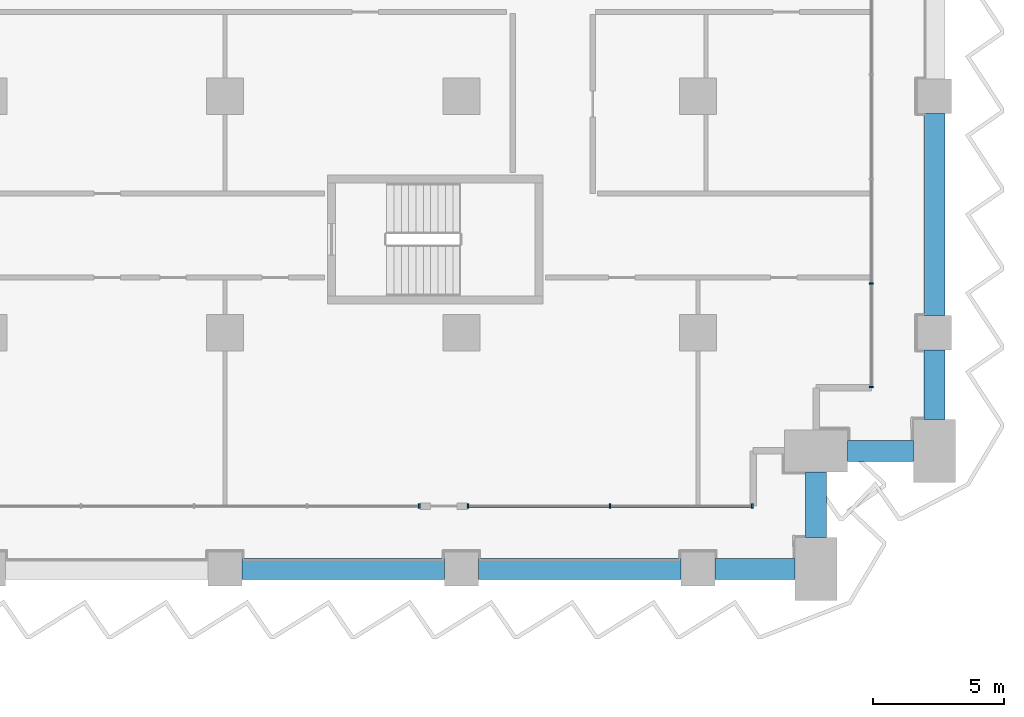
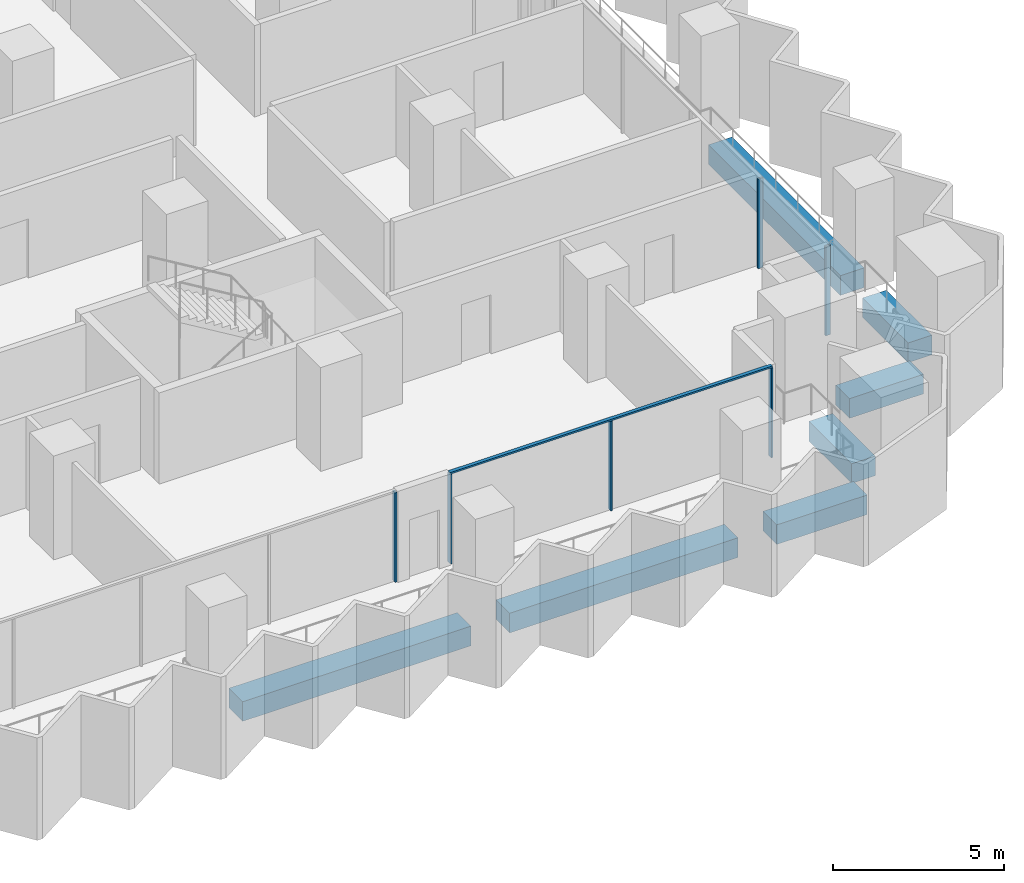
# One storey, part 6 of 28: 7 beams, 7 members, 3 elements without a shape of their own.
"""IFC4 building model written with IfcOpenShell, lengths in metres."""

from ifc_helpers import new_model, si_unit, direction, frame, origin, origin_2d, place, context, subcontext, project, spatial, rectangle, extrude, material, material_profile, profile_set, type_object, element, aggregate, save


model = new_model("IFC4")

# Units and contexts
model_context = context("Model", 3, precision=1e-05, world=origin(), true_north=direction((0.0, 1.0)))
body_context = subcontext(model_context, "Body", "Model", "MODEL_VIEW")
ifc_project = project(units=[si_unit("LENGTHUNIT", "METRE"), si_unit("AREAUNIT", "SQUARE_METRE"), si_unit("VOLUMEUNIT", "CUBIC_METRE"), si_unit("PLANEANGLEUNIT", "RADIAN"), si_unit("MASSUNIT", "GRAM", prefix="KILO")], contexts=[model_context])

# Site, building, storey
site_placement = place(None, origin())
site = spatial("IfcSite", under=ifc_project, at=site_placement, CompositionType="ELEMENT")
building_placement = place(site_placement, origin())
building = spatial("IfcBuilding", under=site, at=building_placement, Name="Hunhe Ridgeline Campus", CompositionType="ELEMENT")
storey_placement = place(building_placement, frame((0.0, 0.0, 76.5)))
storey = spatial("IfcBuildingStorey", under=building, at=storey_placement, Name="L18", CompositionType="ELEMENT", Elevation=76.5)

# Curtain wall, member
ifc_material_1 = material(Name="Aluminium 6063", Category="aluminium")
curtain_wall_type = type_object("IfcCurtainWallType", Name="Curtain wall CW-1", PredefinedType="NOTDEFINED", material=ifc_material_1)
curtain_wall_1_placement = place(storey_placement, origin())
curtain_wall_1 = element("IfcCurtainWall", 1, at=curtain_wall_1_placement, inside=storey, type_object=curtain_wall_type, Name="Curtain wall 13", PredefinedType="NOTDEFINED")
ifc_material_profile_1 = material_profile(ifc_material_1, rectangle(XDim=0.159912109375, YDim=0.06005859375, at=origin_2d()))
ifc_profile_set_1 = profile_set([ifc_material_profile_1], Name="Aluminium 6063")
member_type_1 = type_object("IfcMemberType", Name="CW-1 aluminium mullion", PredefinedType="MULLION", material=ifc_profile_set_1)
member_1_placement = place(storey_placement, frame((79.39404296875, 56.40087890625, 0.0), z_axis=(0.0, 0.0, 1.0), x_axis=(-3.602063e-06, 0.999999999994, 0.0)))
member_1 = element("IfcMember", 2, at=member_1_placement, type_object=member_type_1, Name="CW-1 mullion 9", PredefinedType="MULLION", context=body_context, shape_type="SweptSolid", body=[
    extrude(rectangle(XDim=0.159912109375, YDim=0.06005859375, at=origin_2d()), origin(), (0.0, 0.0, 1.0), 3.18994140625),
])
aggregate(curtain_wall_1, [member_1])

# Curtain wall, members
curtain_wall_2_placement = place(storey_placement, origin())
curtain_wall_2 = element("IfcCurtainWall", 3, at=curtain_wall_2_placement, inside=storey, type_object=curtain_wall_type, Name="Curtain wall 14", PredefinedType="NOTDEFINED")
member_2_placement = place(storey_placement, frame((81.254150390625, 56.40087890625, 0.0), z_axis=(0.0, 0.0, 1.0), x_axis=(-3.58625e-06, 0.999999999994, 0.0)))
member_2 = element("IfcMember", 4, at=member_2_placement, type_object=member_type_1, Name="CW-1 mullion 1", PredefinedType="MULLION", context=body_context, shape_type="SweptSolid", body=[
    extrude(rectangle(XDim=0.159912109375, YDim=0.06005859375, at=origin_2d()), origin(), (0.0, 0.0, 1.0), 3.18994140625),
])
member_3_placement = place(storey_placement, frame((86.66162109375, 56.40087890625, 0.0), z_axis=(0.0, 0.0, 1.0), x_axis=(-3.58625e-06, 0.999999999994, 0.0)))
member_3 = element("IfcMember", 5, at=member_3_placement, type_object=member_type_1, Name="CW-1 mullion 2", PredefinedType="MULLION", context=body_context, shape_type="SweptSolid", body=[
    extrude(rectangle(XDim=0.159912109375, YDim=0.06005859375, at=origin_2d()), origin(), (0.0, 0.0, 1.0), 3.18994140625),
])
member_4_placement = place(storey_placement, frame((92.069091796875, 56.40087890625, 0.0), z_axis=(0.0, 0.0, 1.0), x_axis=(-3.58625e-06, 0.999999999994, 0.0)))
member_4 = element("IfcMember", 6, at=member_4_placement, type_object=member_type_1, Name="CW-1 mullion 3", PredefinedType="MULLION", context=body_context, shape_type="SweptSolid", body=[
    extrude(rectangle(XDim=0.159912109375, YDim=0.06005859375, at=origin_2d()), origin(), (0.0, 0.0, 1.0), 3.18994140625),
])

curtain_wall_3_placement = place(storey_placement, origin())
curtain_wall_3 = element("IfcCurtainWall", 7, at=curtain_wall_3_placement, inside=storey, type_object=curtain_wall_type, Name="Curtain wall 15", PredefinedType="NOTDEFINED")
member_5_placement = place(storey_placement, frame((96.59912109375, 60.930908203125, 0.0), z_axis=(0.0, 0.0, 1.0), x_axis=(-1.0, 0.0, 0.0)))
member_5 = element("IfcMember", 8, at=member_5_placement, type_object=member_type_1, Name="CW-1 mullion 1", PredefinedType="MULLION", context=body_context, shape_type="SweptSolid", body=[
    extrude(rectangle(XDim=0.159912109375, YDim=0.06005859375, at=origin_2d()), origin(), (0.0, 0.0, 1.0), 3.18994140625),
])
member_6_placement = place(storey_placement, frame((96.59912109375, 64.8759765625, 0.0), z_axis=(0.0, 0.0, 1.0), x_axis=(-1.0, 0.0, 0.0)))
member_6 = element("IfcMember", 9, at=member_6_placement, type_object=member_type_1, Name="CW-1 mullion 2", PredefinedType="MULLION", context=body_context, shape_type="SweptSolid", body=[
    extrude(rectangle(XDim=0.159912109375, YDim=0.06005859375, at=origin_2d()), origin(), (0.0, 0.0, 1.0), 3.18994140625),
])
aggregate(curtain_wall_3, [member_5, member_6])

# Member
ifc_material_profile_2 = material_profile(ifc_material_1, rectangle(XDim=0.1201171875, YDim=0.06005859375, at=origin_2d()))
ifc_profile_set_2 = profile_set([ifc_material_profile_2], Name="Aluminium 6063")
member_type_2 = type_object("IfcMemberType", Name="CW-1 aluminium transom", PredefinedType="USERDEFINED", material=ifc_profile_set_2)
member_7_placement = place(storey_placement, frame((81.22412109375, 56.40087890625, 3.219970703125), z_axis=(1.0, 0.0, 0.0), x_axis=(0.0, 1.0, 0.0)))
member_7 = element("IfcMember", 10, at=member_7_placement, type_object=member_type_2, Name="CW-1 transom 1", ObjectType="TRANSOM", PredefinedType="USERDEFINED", context=body_context, shape_type="SweptSolid", body=[
    extrude(rectangle(XDim=0.1201171875, YDim=0.06005859375, at=origin_2d()), origin(), (0.0, 0.0, 1.0), 10.875),
])

aggregate(curtain_wall_2, [member_7, member_2, member_3, member_4])

# Beams
ifc_material_2 = material(Name="Concrete C60", Category="concrete")
ifc_material_profile_3 = material_profile(ifc_material_2, rectangle(XDim=0.800048828125, YDim=0.699951171875, at=origin_2d()))
ifc_profile_set_3 = profile_set([ifc_material_profile_3], Name="Concrete C60")
beam_type = type_object("IfcBeamType", Name="RC spandrel beam 800x700 Concrete C60", PredefinedType="SPANDREL", material=ifc_profile_set_3)
for number, where, z_axis, x_axis, name in (
    (11, (72.64990234375, 54.0, -0.60009765625), (1.0, 0.0, 0.0), (0.0, 1.0, 0.0), "Spandrel beam B1-15 L18"),
    (12, (81.64990234375, 54.0, -0.60009765625), (1.0, 0.0, 0.0), (0.0, 1.0, 0.0), "Spandrel beam B1-16 L18"),
):
    element("IfcBeam", number, at=place(storey_placement, frame(where, z_axis=z_axis, x_axis=x_axis)), inside=storey, type_object=beam_type, Name=name, PredefinedType="SPANDREL", context=body_context, shape_type="SweptSolid", body=[
        extrude(rectangle(XDim=0.800048828125, YDim=0.699951171875, at=origin_2d()), origin(), (0.0, 0.0, 1.0), 7.7001953125),
    ])
beam_1_placement = place(storey_placement, frame((90.64990234375, 54.0, -0.60009765625), z_axis=(1.0, 0.0, 0.0), x_axis=(0.0, 1.0, 0.0)))
element("IfcBeam", 13, at=beam_1_placement, inside=storey, type_object=beam_type, Name="Spandrel beam B1-17 L18", PredefinedType="SPANDREL", context=body_context, shape_type="SweptSolid", body=[
    extrude(rectangle(XDim=0.800048828125, YDim=0.699951171875, at=origin_2d()), origin(), (0.0, 0.0, 1.0), 3.050048828125),
])
for number, where, z_axis, x_axis, name in (
    (14, (94.5, 55.199951171875, -0.60009765625), (0.0, 1.0, 0.0), (-1.0, 0.0, 0.0), "Spandrel beam B1-18 L18"),
    (15, (95.699951171875, 58.5, -0.60009765625), (1.0, 0.0, 0.0), (0.0, 1.0, 0.0), "Spandrel beam B1-19 L18"),
):
    element("IfcBeam", number, at=place(storey_placement, frame(where, z_axis=z_axis, x_axis=x_axis)), inside=storey, type_object=beam_type, Name=name, PredefinedType="SPANDREL", context=body_context, shape_type="SweptSolid", body=[
        extrude(rectangle(XDim=0.800048828125, YDim=0.699951171875, at=origin_2d()), origin(), (0.0, 0.0, 1.0), 2.5),
    ])
beam_2_placement = place(storey_placement, frame((99.0, 59.699951171875, -0.60009765625), z_axis=(0.0, 1.0, 0.0), x_axis=(-1.0, 0.0, 0.0)))
element("IfcBeam", 16, at=beam_2_placement, inside=storey, type_object=beam_type, Name="Spandrel beam B1-20 L18", PredefinedType="SPANDREL", context=body_context, shape_type="SweptSolid", body=[
    extrude(rectangle(XDim=0.800048828125, YDim=0.699951171875, at=origin_2d()), origin(), (0.0, 0.0, 1.0), 2.650146484375),
])
beam_3_placement = place(storey_placement, frame((99.0, 63.64990234375, -0.60009765625), z_axis=(0.0, 1.0, 0.0), x_axis=(-1.0, 0.0, 0.0)))
element("IfcBeam", 17, at=beam_3_placement, inside=storey, type_object=beam_type, Name="Spandrel beam B1-21 L18", PredefinedType="SPANDREL", context=body_context, shape_type="SweptSolid", body=[
    extrude(rectangle(XDim=0.800048828125, YDim=0.699951171875, at=origin_2d()), origin(), (0.0, 0.0, 1.0), 7.7001953125),
])

save(model, "model.ifc")
